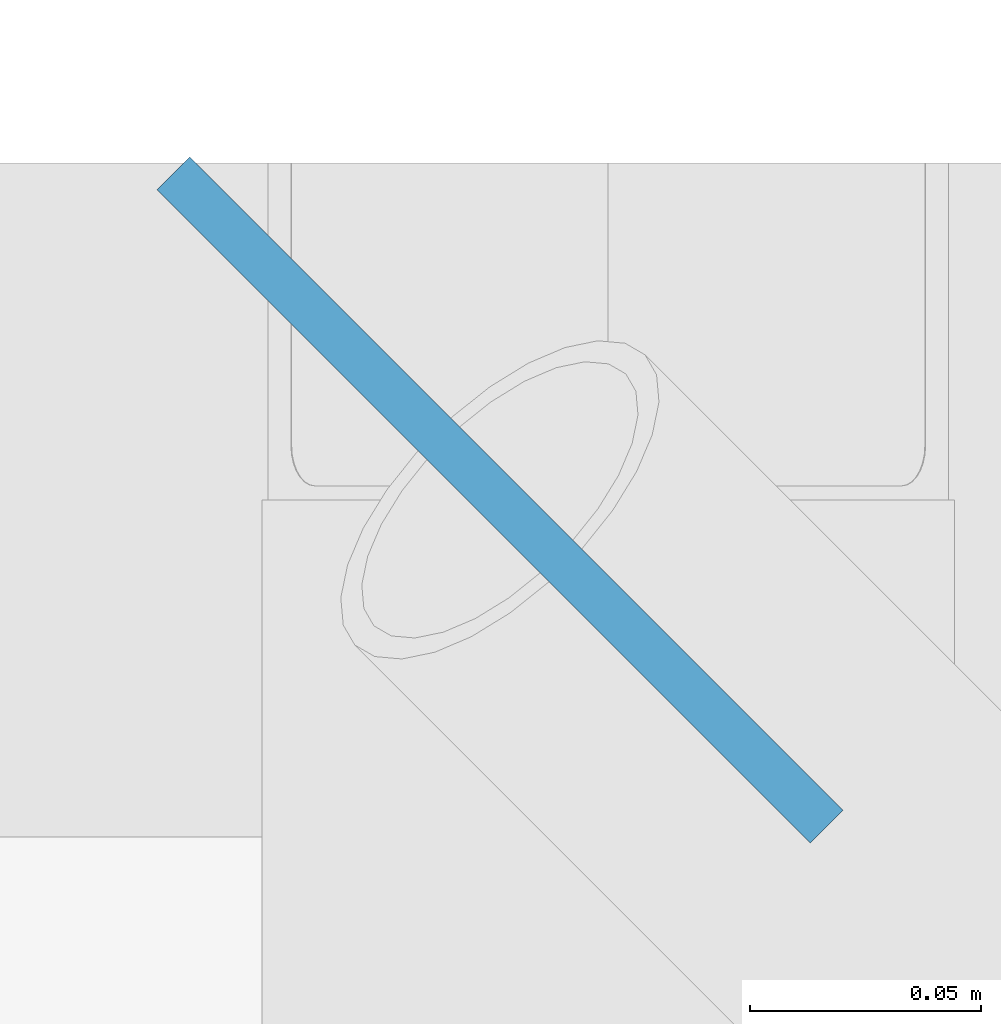
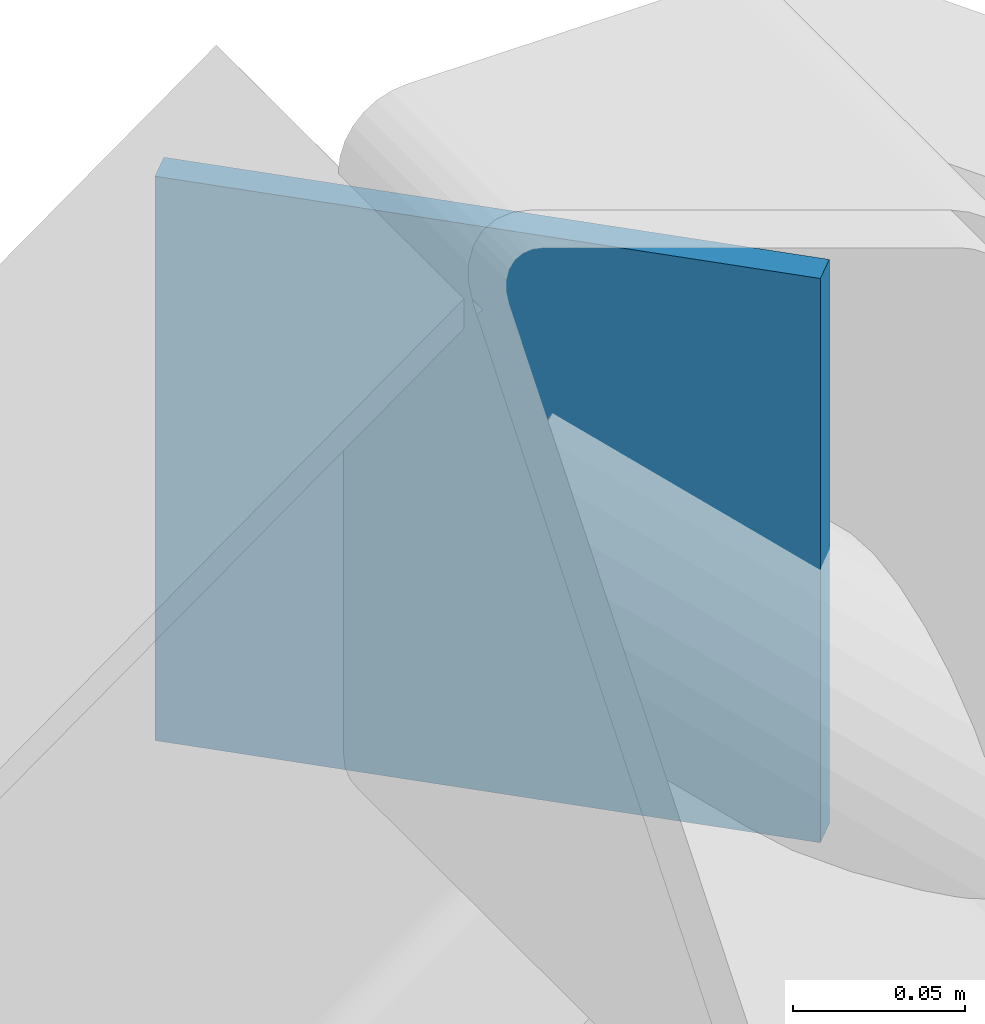
# One storey, part 60 of 74: 1 discrete accessory.
"""IFC4 building model written with IfcOpenShell, lengths in metres."""

from ifc_helpers import new_model, si_unit, direction, frame, origin, origin_2d, place, context, subcontext, project, spatial, rectangle, extrude, material, type_object, element, save


model = new_model("IFC4")

# Units and contexts
model_context = context("Model", 3, precision=1e-05, world=origin(), true_north=direction((0.0, 1.0)))
body_context = subcontext(model_context, "Body", "Model", "MODEL_VIEW")
ifc_project = project(units=[si_unit("LENGTHUNIT", "METRE"), si_unit("AREAUNIT", "SQUARE_METRE"), si_unit("VOLUMEUNIT", "CUBIC_METRE"), si_unit("PLANEANGLEUNIT", "RADIAN"), si_unit("MASSUNIT", "GRAM", prefix="KILO")], contexts=[model_context])

# Site, building, storey
site_placement = place(None, origin())
site = spatial("IfcSite", under=ifc_project, at=site_placement, CompositionType="ELEMENT")
building_placement = place(site_placement, origin())
building = spatial("IfcBuilding", under=site, at=building_placement, Name="Hortulan Conservatory and Botanical Research Centre", CompositionType="ELEMENT")
storey_placement = place(building_placement, frame((0.0, 0.0, 6.0)))
storey = spatial("IfcBuildingStorey", under=building, at=storey_placement, Name="L01", CompositionType="ELEMENT", Elevation=6.0)

# Discrete accessory
ifc_material = material(Name="Steel Grade 300 plate (AS/NZS 3678, 280 MPa minimum yield)", Category="steel")
discrete_accessory_type = type_object("IfcDiscreteAccessoryType", Name="End Plate 200x10", PredefinedType="BRACKET", material=ifc_material)
discrete_accessory_placement = place(storey_placement, frame((98.9765625, 31.5, 2.21240234375), z_axis=(0.0, 0.0, 1.0), x_axis=(0.707106781187, -0.707106781187, 0.0)))
element("IfcDiscreteAccessory", 1, at=discrete_accessory_placement, inside=storey, type_object=discrete_accessory_type, Name="Brace end plate", PredefinedType="BRACKET", context=body_context, shape_type="SweptSolid", body=[
    extrude(rectangle(XDim=0.199951171875, YDim=0.010009765625, at=origin_2d()), origin(), (0.0, 0.0, 1.0), 0.199951171875),
])

save(model, "model.ifc")
